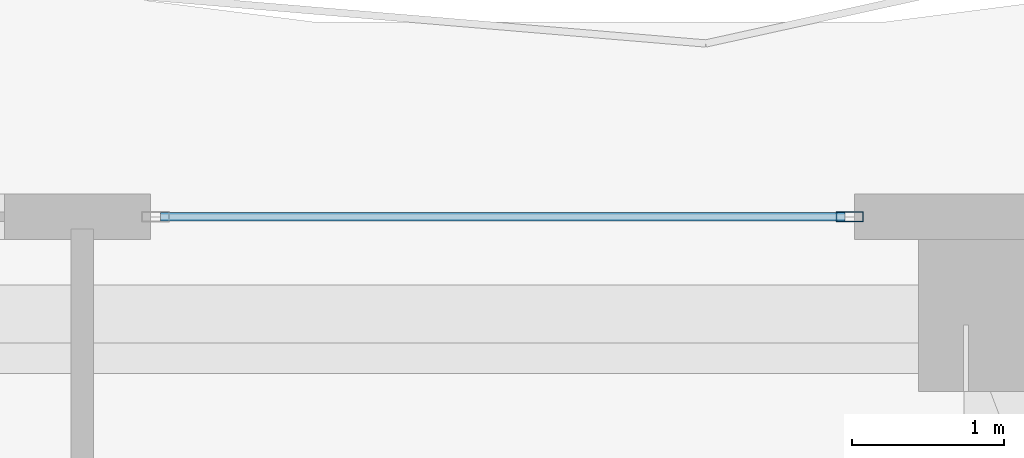
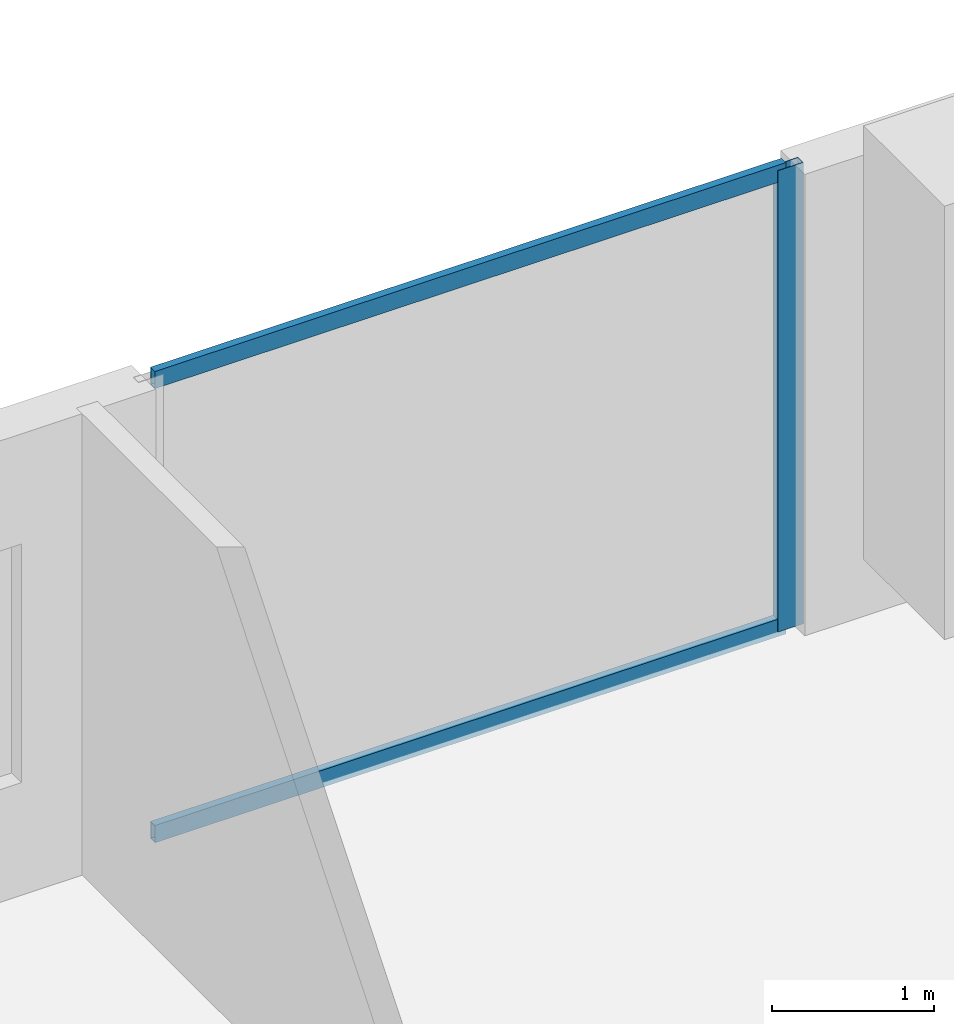
# One storey, part 17 of 28: 3 members, 1 element without a shape of its own.
"""IFC4 building model written with IfcOpenShell, lengths in metres."""

import ifcopenshell
import ifcopenshell.guid

model = None  # the IFC model being written
_history = None  # IfcOwnerHistory: only IFC2X3 demands one
_inside = {}  # id of a spatial element -> (the spatial element, [elements in it])
_under = {}  # id of a project, library or spatial element -> (it, [spatial elements below it])
_declared = {}  # id of a project -> (the project, [libraries it declares])
_typed = {}  # id of a type object -> (the type object, [elements of that type])
_made_of = {}  # id of a material, layer set ... -> (it, [elements and type objects made of it])


def new_model(schema):
    """Start an empty IFC model of exactly this schema.

    Asked for "IFC4X3", IfcOpenShell would pick the latest addendum, in which some entities
    have other attributes; the version numbers below select the first issue.
    IFC2X3 requires an IfcOwnerHistory on every rooted entity: one is made here for all.
    """
    global model, _history
    if schema == "IFC4X3":
        model = ifcopenshell.file(schema_version=(4, 3, 0, 0))
    else:
        model = ifcopenshell.file(schema=schema)
    _inside.clear()
    _under.clear()
    _declared.clear()
    _typed.clear()
    _made_of.clear()
    _history = None
    if model.schema == "IFC2X3":
        org = make("IfcOrganization", Name="unknown")
        user = make(
            "IfcPersonAndOrganization",
            ThePerson=make("IfcPerson", FamilyName="unknown"),
            TheOrganization=org,
        )
        app = make(
            "IfcApplication",
            ApplicationDeveloper=org,
            Version="unknown",
            ApplicationFullName="unknown",
            ApplicationIdentifier="unknown",
        )
        _history = make(
            "IfcOwnerHistory",
            OwningUser=user,
            OwningApplication=app,
            ChangeAction="ADDED",
            CreationDate=0,
        )
    return model


def make(cls, **values):
    """One entity of the class cls with the attributes given. An attribute that is None is left unset."""
    return model.create_entity(
        cls, **{name: value for name, value in values.items() if value is not None}
    )


def rooted(cls, **values):
    """An entity with a GlobalId (a new one), such as an element, a storey or a relation."""
    return make(cls, GlobalId=ifcopenshell.guid.new(), OwnerHistory=_history, **values)


def si_unit(unit_type, name, prefix=None):
    """IfcSIUnit, for example si_unit("LENGTHUNIT", "METRE", prefix="MILLI")."""
    return make("IfcSIUnit", UnitType=unit_type, Prefix=prefix, Name=name)


def assignment(units):
    """IfcUnitAssignment: the units of a project."""
    return None if units is None else make("IfcUnitAssignment", Units=units)


def point(xyz):
    """IfcCartesianPoint."""
    return None if xyz is None else make("IfcCartesianPoint", Coordinates=xyz)


def direction(xyz):
    """IfcDirection."""
    return None if xyz is None else make("IfcDirection", DirectionRatios=xyz)


def frame(location, z_axis=None, x_axis=None):
    """IfcAxis2Placement3D, a coordinate frame: its origin and axes. An axis left out is left unset."""
    return make(
        "IfcAxis2Placement3D",
        Location=point(location),
        Axis=direction(z_axis),
        RefDirection=direction(x_axis),
    )


def frame_2d(location, x_axis=None):
    """IfcAxis2Placement2D, a coordinate frame in the plane: its origin and x axis."""
    return make(
        "IfcAxis2Placement2D", Location=point(location), RefDirection=direction(x_axis)
    )


def origin():
    """The frame at (0, 0, 0) with its axes left unset."""
    return frame((0.0, 0.0, 0.0))


def origin_2d():
    """The frame at (0, 0) in the plane with its x axis left unset."""
    return frame_2d((0.0, 0.0))


def place(relative_to, where):
    """IfcLocalPlacement: puts the frame where relative to a parent placement (None: the world)."""
    return make(
        "IfcLocalPlacement", PlacementRelTo=relative_to, RelativePlacement=where
    )


def context(
    kind, dimensions, precision=None, world=None, true_north=None, identifier=None
):
    """IfcGeometricRepresentationContext, for example the 3D "Model" context."""
    return make(
        "IfcGeometricRepresentationContext",
        ContextIdentifier=identifier,
        ContextType=kind,
        CoordinateSpaceDimension=dimensions,
        Precision=precision,
        WorldCoordinateSystem=world,
        TrueNorth=true_north,
    )


def subcontext(parent, identifier, kind, view, scale=None):
    """IfcGeometricRepresentationSubContext, for example "Body" below "Model"."""
    return make(
        "IfcGeometricRepresentationSubContext",
        ContextIdentifier=identifier,
        ContextType=kind,
        ParentContext=parent,
        TargetScale=scale,
        TargetView=view,
    )


def project(units=None, contexts=None):
    """IfcProject with its units and contexts."""
    return rooted(
        "IfcProject",
        Name="project",
        RepresentationContexts=contexts,
        UnitsInContext=assignment(units),
    )


def spatial(cls, under=None, at=None, **own):
    """A site, building, storey or space (cls), placed at a placement, below another one or the project."""
    s = rooted(cls, ObjectPlacement=at, **own)
    if under is not None:
        _under.setdefault(under.id(), (under, []))[1].append(s)
    return s


def profile(cls, at=None, kind="AREA", **sizes):
    """A parametric profile (cls). Its sizes go by their IFC names, for example OverallWidth=200.0."""
    return make(cls, ProfileType=kind, Position=at, **sizes)


def hollow_rectangle(**sizes):
    """IfcRectangleHollowProfileDef."""
    return profile("IfcRectangleHollowProfileDef", **sizes)


def extrude(swept, where, along, depth):
    """IfcExtrudedAreaSolid: the profile swept, set in the frame where, extruded along a direction by depth."""
    return make(
        "IfcExtrudedAreaSolid",
        SweptArea=swept,
        Position=where,
        ExtrudedDirection=direction(along),
        Depth=depth,
    )


def shape(context_of_items, identifier, shape_type, items):
    """IfcShapeRepresentation: the items that make up one representation, for example the "Body"."""
    return make(
        "IfcShapeRepresentation",
        ContextOfItems=context_of_items,
        RepresentationIdentifier=identifier,
        RepresentationType=shape_type,
        Items=items,
    )


def material(Name=None, Category=None):
    """IfcMaterial."""
    return make("IfcMaterial", Name=Name, Category=Category)


def layer(
    of_material, thickness, ventilated=None, Name=None, Category=None, Priority=None
):
    """IfcMaterialLayer: one layer of a wall or slab, of a material (None: an air gap)."""
    return make(
        "IfcMaterialLayer",
        Material=of_material,
        LayerThickness=thickness,
        IsVentilated=ventilated,
        Name=Name,
        Category=Category,
        Priority=Priority,
    )


def layer_set(layers, Name=None):
    """IfcMaterialLayerSet."""
    return make("IfcMaterialLayerSet", MaterialLayers=layers, LayerSetName=Name)


def material_profile(
    of_material, cross_section, Name=None, Category=None, Priority=None
):
    """IfcMaterialProfile: a cross section and its material."""
    return make(
        "IfcMaterialProfile",
        Name=Name,
        Material=of_material,
        Profile=cross_section,
        Priority=Priority,
        Category=Category,
    )


def profile_set(profiles, Name=None, composite=None):
    """IfcMaterialProfileSet."""
    return make(
        "IfcMaterialProfileSet",
        Name=Name,
        MaterialProfiles=profiles,
        CompositeProfile=composite,
    )


def made_of(thing, what):
    """Note that an element or type object is made of a material, layer set ...; save() writes the relation."""
    if what is not None:
        _made_of.setdefault(what.id(), (what, []))[1].append(thing)
    return thing


def type_object(cls, material=None, **own):
    """A type object (cls), such as IfcWallType, which elements share."""
    return made_of(rooted(cls, **own), material)


def element(
    cls,
    number,
    at=None,
    inside=None,
    cuts=None,
    type_object=None,
    material=None,
    context=None,
    identifier="Body",
    shape_type=None,
    held_by="IfcProductDefinitionShape",
    body=None,
    shapes=None,
    **own,
):
    """One element of the class cls, such as IfcWall. Its Tag is "e" and its number.

    at: its placement. inside: the storey or other place that contains it. cuts: it is an
    opening in that element (IfcRelVoidsElement). A single representation is given by context,
    identifier, shape_type and body (its items); several are given by shapes. held_by: the class
    of the entity that holds the representations. save() writes the other relations.
    """
    e = rooted(cls, Tag="e%d" % number, ObjectPlacement=at, **own)
    if body is not None:
        shapes = [shape(context, identifier, shape_type, body)]
    if shapes is not None:
        e.Representation = make(held_by, Representations=shapes)
    if inside is not None:
        _inside.setdefault(inside.id(), (inside, []))[1].append(e)
    if cuts is not None:
        rooted(
            "IfcRelVoidsElement", RelatingBuildingElement=cuts, RelatedOpeningElement=e
        )
    if type_object is not None:
        _typed.setdefault(type_object.id(), (type_object, []))[1].append(e)
    return made_of(e, material)


def aggregate(whole, parts):
    """IfcRelAggregates: a whole, such as a stair, and the parts it consists of."""
    return rooted("IfcRelAggregates", RelatingObject=whole, RelatedObjects=parts)


def save(model, path):
    """Write the relations noted so far, then the file.

    IfcRelAggregates (storeys below a building ...), IfcRelContainedInSpatialStructure (elements
    in a storey), IfcRelDefinesByType, IfcRelAssociatesMaterial and IfcRelDeclares: one each for
    every whole, place, type object, material and project.
    """
    for whole, parts in _under.values():
        aggregate(whole, parts)
    for where, things in _inside.values():
        rooted(
            "IfcRelContainedInSpatialStructure",
            RelatedElements=things,
            RelatingStructure=where,
        )
    for kind, things in _typed.values():
        rooted("IfcRelDefinesByType", RelatedObjects=things, RelatingType=kind)
    for what, things in _made_of.values():
        rooted("IfcRelAssociatesMaterial", RelatedObjects=things, RelatingMaterial=what)
    for by, libraries in _declared.values():
        rooted("IfcRelDeclares", RelatingContext=by, RelatedDefinitions=libraries)
    model.write(path)


model = new_model("IFC4")

# Units and contexts
model_context = context("Model", 3, precision=1e-05, world=origin(), true_north=direction((0.0, 1.0)))
body_context = subcontext(model_context, "Body", "Model", "MODEL_VIEW")
ifc_project = project(units=[si_unit("LENGTHUNIT", "METRE"), si_unit("AREAUNIT", "SQUARE_METRE"), si_unit("VOLUMEUNIT", "CUBIC_METRE"), si_unit("PLANEANGLEUNIT", "RADIAN"), si_unit("MASSUNIT", "GRAM", prefix="KILO")], contexts=[model_context])

# Site, building, storey
site_placement = place(None, origin())
site = spatial("IfcSite", under=ifc_project, at=site_placement, CompositionType="ELEMENT")
building_placement = place(site_placement, origin())
building = spatial("IfcBuilding", under=site, at=building_placement, Name="Zuhayl Quay Hotel", CompositionType="ELEMENT")
storey_placement = place(building_placement, frame((0.0, 0.0, 239.64990234375)))
storey = spatial("IfcBuildingStorey", under=building, at=storey_placement, Name="L60", CompositionType="ELEMENT", Elevation=239.64990234375)

# Curtain wall, members
ifc_material_1 = material(Name="Anodised Aluminium 6063-T6", Category="aluminium")
ifc_layer = layer(ifc_material_1, 0.169921875, Name="Anodised Aluminium 6063-T6", Category="aluminium")
ifc_layer_set = layer_set([ifc_layer], Name="Anodised Aluminium 6063-T6")
curtain_wall_type = type_object("IfcCurtainWallType", Name="CW_SYS_Z4", PredefinedType="USERDEFINED", material=ifc_layer_set)
curtain_wall_placement = place(storey_placement, origin())
curtain_wall = element("IfcCurtainWall", 1, at=curtain_wall_placement, inside=storey, type_object=curtain_wall_type, Name="L60 Curtain Wall ENV_L60_N_CW1", ObjectType="UNITISED CURTAIN WALL", PredefinedType="USERDEFINED")
ifc_material_2 = material(Name="Black-anodised aluminium 6063-T6", Category="aluminium")
ifc_material_profile_1 = material_profile(ifc_material_2, hollow_rectangle(XDim=0.06494140625, YDim=0.179931640625, WallThickness=0.00341796875, at=origin_2d()), Name="ALU180X65")
ifc_profile_set_1 = profile_set([ifc_material_profile_1], Name="Black-anodised aluminium 6063-T6")
member_type_1 = type_object("IfcMemberType", Name="MB_CW_MUL_180", PredefinedType="MULLION", material=ifc_profile_set_1)
member_1_placement = place(storey_placement, frame((12.847412109375, 39.0, 0.0), z_axis=(0.0, 0.0, 1.0), x_axis=(0.0, 1.0, 0.0)))
member_1 = element("IfcMember", 2, at=member_1_placement, type_object=member_type_1, Name="CW-Z4 mullion 2", PredefinedType="MULLION", context=body_context, shape_type="SweptSolid", body=[
    extrude(hollow_rectangle(XDim=0.06494140625, YDim=0.179931640625, WallThickness=0.00341796875, at=origin_2d()), origin(), (0.0, 0.0, 1.0), 3.47998046875),
])
ifc_material_profile_2 = material_profile(ifc_material_2, hollow_rectangle(XDim=0.054931640625, YDim=0.1298828125, WallThickness=0.0029296875, at=origin_2d()), Name="ALU130X55")
ifc_profile_set_2 = profile_set([ifc_material_profile_2], Name="Black-anodised aluminium 6063-T6")
member_type_2 = type_object("IfcMemberType", Name="MB_CW_TRN_130", PredefinedType="USERDEFINED", material=ifc_profile_set_2)
member_2_placement = place(storey_placement, frame((8.31494140625, 39.0, 0.027587890625), z_axis=(1.0, 0.0, 0.0), x_axis=(0.0, 1.0, 0.0)))
member_2 = element("IfcMember", 3, at=member_2_placement, type_object=member_type_2, Name="CW-Z4 transom 1.1", ObjectType="TRANSOM", PredefinedType="USERDEFINED", context=body_context, shape_type="SweptSolid", body=[
    extrude(hollow_rectangle(XDim=0.054931640625, YDim=0.1298828125, WallThickness=0.0029296875, at=origin_2d()), origin(), (0.0, 0.0, 1.0), 4.5),
])
member_3_placement = place(storey_placement, frame((8.31494140625, 39.0, 3.45263671875), z_axis=(1.0, 0.0, 0.0), x_axis=(0.0, 1.0, 0.0)))
member_3 = element("IfcMember", 4, at=member_3_placement, type_object=member_type_2, Name="CW-Z4 transom 1.2", ObjectType="TRANSOM", PredefinedType="USERDEFINED", context=body_context, shape_type="SweptSolid", body=[
    extrude(hollow_rectangle(XDim=0.054931640625, YDim=0.1298828125, WallThickness=0.0029296875, at=origin_2d()), origin(), (0.0, 0.0, 1.0), 4.5),
])
aggregate(curtain_wall, [member_1, member_2, member_3])

save(model, "model.ifc")
